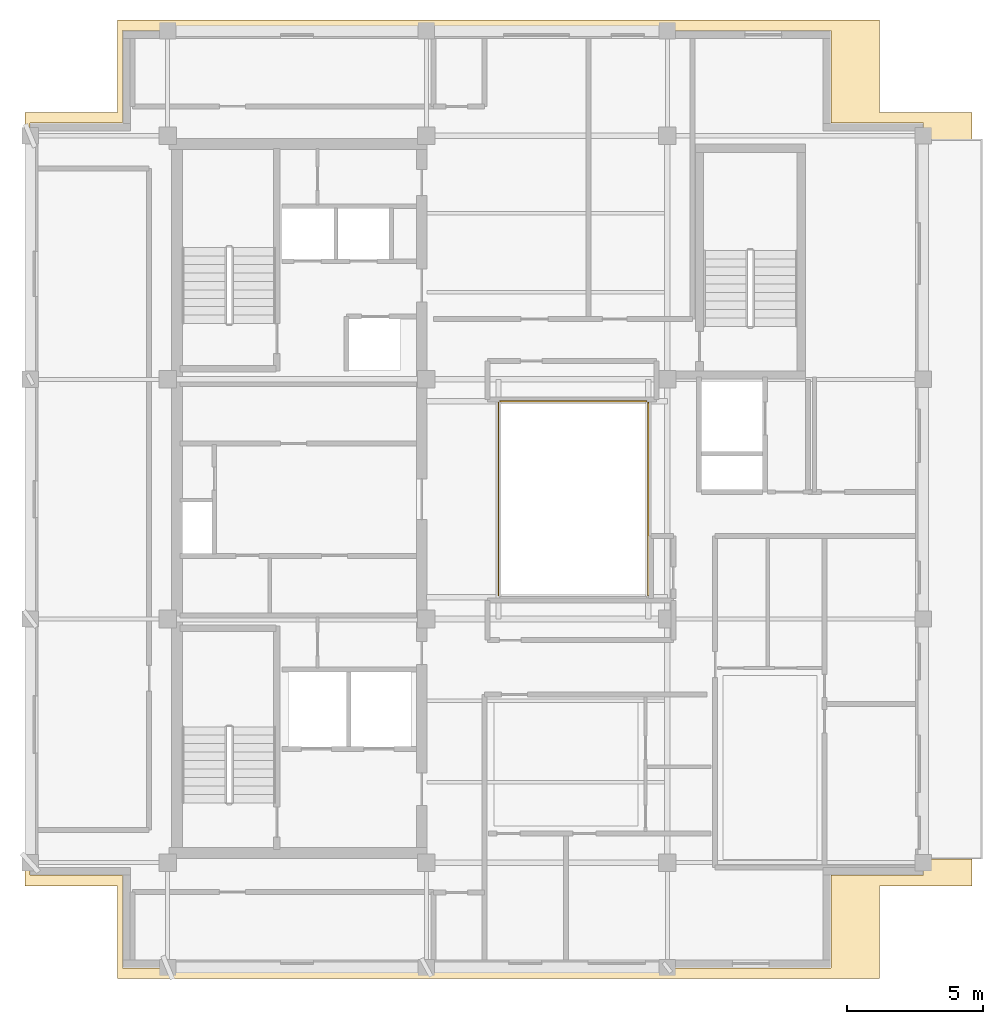
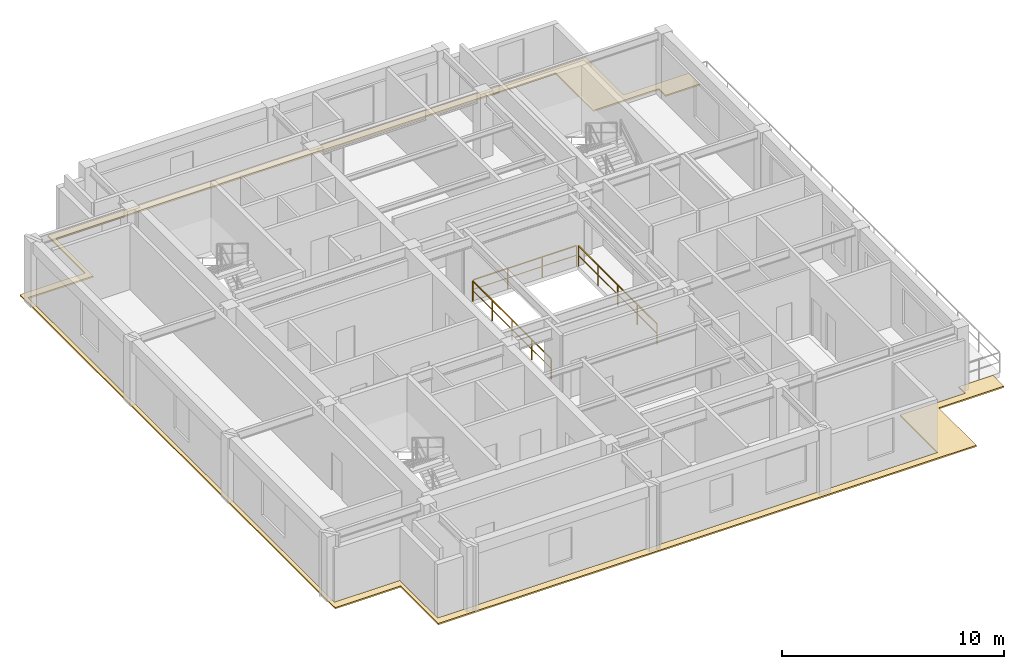
# One storey, part 8 of 9: 3 railings, 1 covering.
"""IFC4 building model written with IfcOpenShell, lengths in metres."""

import ifcopenshell
import ifcopenshell.guid

model = None  # the IFC model being written
_history = None  # IfcOwnerHistory: only IFC2X3 demands one
_inside = {}  # id of a spatial element -> (the spatial element, [elements in it])
_under = {}  # id of a project, library or spatial element -> (it, [spatial elements below it])
_declared = {}  # id of a project -> (the project, [libraries it declares])
_typed = {}  # id of a type object -> (the type object, [elements of that type])
_made_of = {}  # id of a material, layer set ... -> (it, [elements and type objects made of it])


def new_model(schema):
    """Start an empty IFC model of exactly this schema.

    Asked for "IFC4X3", IfcOpenShell would pick the latest addendum, in which some entities
    have other attributes; the version numbers below select the first issue.
    IFC2X3 requires an IfcOwnerHistory on every rooted entity: one is made here for all.
    """
    global model, _history
    if schema == "IFC4X3":
        model = ifcopenshell.file(schema_version=(4, 3, 0, 0))
    else:
        model = ifcopenshell.file(schema=schema)
    _inside.clear()
    _under.clear()
    _declared.clear()
    _typed.clear()
    _made_of.clear()
    _history = None
    if model.schema == "IFC2X3":
        org = make("IfcOrganization", Name="unknown")
        user = make(
            "IfcPersonAndOrganization",
            ThePerson=make("IfcPerson", FamilyName="unknown"),
            TheOrganization=org,
        )
        app = make(
            "IfcApplication",
            ApplicationDeveloper=org,
            Version="unknown",
            ApplicationFullName="unknown",
            ApplicationIdentifier="unknown",
        )
        _history = make(
            "IfcOwnerHistory",
            OwningUser=user,
            OwningApplication=app,
            ChangeAction="ADDED",
            CreationDate=0,
        )
    return model


def make(cls, **values):
    """One entity of the class cls with the attributes given. An attribute that is None is left unset."""
    return model.create_entity(
        cls, **{name: value for name, value in values.items() if value is not None}
    )


def rooted(cls, **values):
    """An entity with a GlobalId (a new one), such as an element, a storey or a relation."""
    return make(cls, GlobalId=ifcopenshell.guid.new(), OwnerHistory=_history, **values)


def si_unit(unit_type, name, prefix=None):
    """IfcSIUnit, for example si_unit("LENGTHUNIT", "METRE", prefix="MILLI")."""
    return make("IfcSIUnit", UnitType=unit_type, Prefix=prefix, Name=name)


def assignment(units):
    """IfcUnitAssignment: the units of a project."""
    return None if units is None else make("IfcUnitAssignment", Units=units)


def point(xyz):
    """IfcCartesianPoint."""
    return None if xyz is None else make("IfcCartesianPoint", Coordinates=xyz)


def direction(xyz):
    """IfcDirection."""
    return None if xyz is None else make("IfcDirection", DirectionRatios=xyz)


def frame(location, z_axis=None, x_axis=None):
    """IfcAxis2Placement3D, a coordinate frame: its origin and axes. An axis left out is left unset."""
    return make(
        "IfcAxis2Placement3D",
        Location=point(location),
        Axis=direction(z_axis),
        RefDirection=direction(x_axis),
    )


def frame_2d(location, x_axis=None):
    """IfcAxis2Placement2D, a coordinate frame in the plane: its origin and x axis."""
    return make(
        "IfcAxis2Placement2D", Location=point(location), RefDirection=direction(x_axis)
    )


def origin():
    """The frame at (0, 0, 0) with its axes left unset."""
    return frame((0.0, 0.0, 0.0))


def origin_2d():
    """The frame at (0, 0) in the plane with its x axis left unset."""
    return frame_2d((0.0, 0.0))


def place(relative_to, where):
    """IfcLocalPlacement: puts the frame where relative to a parent placement (None: the world)."""
    return make(
        "IfcLocalPlacement", PlacementRelTo=relative_to, RelativePlacement=where
    )


def context(
    kind, dimensions, precision=None, world=None, true_north=None, identifier=None
):
    """IfcGeometricRepresentationContext, for example the 3D "Model" context."""
    return make(
        "IfcGeometricRepresentationContext",
        ContextIdentifier=identifier,
        ContextType=kind,
        CoordinateSpaceDimension=dimensions,
        Precision=precision,
        WorldCoordinateSystem=world,
        TrueNorth=true_north,
    )


def subcontext(parent, identifier, kind, view, scale=None):
    """IfcGeometricRepresentationSubContext, for example "Body" below "Model"."""
    return make(
        "IfcGeometricRepresentationSubContext",
        ContextIdentifier=identifier,
        ContextType=kind,
        ParentContext=parent,
        TargetScale=scale,
        TargetView=view,
    )


def project(units=None, contexts=None):
    """IfcProject with its units and contexts."""
    return rooted(
        "IfcProject",
        Name="project",
        RepresentationContexts=contexts,
        UnitsInContext=assignment(units),
    )


def spatial(cls, under=None, at=None, **own):
    """A site, building, storey or space (cls), placed at a placement, below another one or the project."""
    s = rooted(cls, ObjectPlacement=at, **own)
    if under is not None:
        _under.setdefault(under.id(), (under, []))[1].append(s)
    return s


def polyline(points):
    """IfcPolyline through the points."""
    return make("IfcPolyline", Points=[point(p) for p in points])


def profile(cls, at=None, kind="AREA", **sizes):
    """A parametric profile (cls). Its sizes go by their IFC names, for example OverallWidth=200.0."""
    return make(cls, ProfileType=kind, Position=at, **sizes)


def rectangle(**sizes):
    """IfcRectangleProfileDef."""
    return profile("IfcRectangleProfileDef", **sizes)


def outline(outer, holes=None, kind="AREA"):
    """IfcArbitraryClosedProfileDef: a profile drawn as a closed curve; with holes, ...WithVoids."""
    if holes is None:
        return make("IfcArbitraryClosedProfileDef", ProfileType=kind, OuterCurve=outer)
    return make(
        "IfcArbitraryProfileDefWithVoids",
        ProfileType=kind,
        OuterCurve=outer,
        InnerCurves=holes,
    )


def extrude(swept, where, along, depth):
    """IfcExtrudedAreaSolid: the profile swept, set in the frame where, extruded along a direction by depth."""
    return make(
        "IfcExtrudedAreaSolid",
        SweptArea=swept,
        Position=where,
        ExtrudedDirection=direction(along),
        Depth=depth,
    )


def shape(context_of_items, identifier, shape_type, items):
    """IfcShapeRepresentation: the items that make up one representation, for example the "Body"."""
    return make(
        "IfcShapeRepresentation",
        ContextOfItems=context_of_items,
        RepresentationIdentifier=identifier,
        RepresentationType=shape_type,
        Items=items,
    )


def material(Name=None, Category=None):
    """IfcMaterial."""
    return make("IfcMaterial", Name=Name, Category=Category)


def layer(
    of_material, thickness, ventilated=None, Name=None, Category=None, Priority=None
):
    """IfcMaterialLayer: one layer of a wall or slab, of a material (None: an air gap)."""
    return make(
        "IfcMaterialLayer",
        Material=of_material,
        LayerThickness=thickness,
        IsVentilated=ventilated,
        Name=Name,
        Category=Category,
        Priority=Priority,
    )


def layer_set(layers, Name=None):
    """IfcMaterialLayerSet."""
    return make("IfcMaterialLayerSet", MaterialLayers=layers, LayerSetName=Name)


def made_of(thing, what):
    """Note that an element or type object is made of a material, layer set ...; save() writes the relation."""
    if what is not None:
        _made_of.setdefault(what.id(), (what, []))[1].append(thing)
    return thing


def type_object(cls, material=None, **own):
    """A type object (cls), such as IfcWallType, which elements share."""
    return made_of(rooted(cls, **own), material)


def element(
    cls,
    number,
    at=None,
    inside=None,
    cuts=None,
    type_object=None,
    material=None,
    context=None,
    identifier="Body",
    shape_type=None,
    held_by="IfcProductDefinitionShape",
    body=None,
    shapes=None,
    **own,
):
    """One element of the class cls, such as IfcWall. Its Tag is "e" and its number.

    at: its placement. inside: the storey or other place that contains it. cuts: it is an
    opening in that element (IfcRelVoidsElement). A single representation is given by context,
    identifier, shape_type and body (its items); several are given by shapes. held_by: the class
    of the entity that holds the representations. save() writes the other relations.
    """
    e = rooted(cls, Tag="e%d" % number, ObjectPlacement=at, **own)
    if body is not None:
        shapes = [shape(context, identifier, shape_type, body)]
    if shapes is not None:
        e.Representation = make(held_by, Representations=shapes)
    if inside is not None:
        _inside.setdefault(inside.id(), (inside, []))[1].append(e)
    if cuts is not None:
        rooted(
            "IfcRelVoidsElement", RelatingBuildingElement=cuts, RelatedOpeningElement=e
        )
    if type_object is not None:
        _typed.setdefault(type_object.id(), (type_object, []))[1].append(e)
    return made_of(e, material)


def aggregate(whole, parts):
    """IfcRelAggregates: a whole, such as a stair, and the parts it consists of."""
    return rooted("IfcRelAggregates", RelatingObject=whole, RelatedObjects=parts)


def save(model, path):
    """Write the relations noted so far, then the file.

    IfcRelAggregates (storeys below a building ...), IfcRelContainedInSpatialStructure (elements
    in a storey), IfcRelDefinesByType, IfcRelAssociatesMaterial and IfcRelDeclares: one each for
    every whole, place, type object, material and project.
    """
    for whole, parts in _under.values():
        aggregate(whole, parts)
    for where, things in _inside.values():
        rooted(
            "IfcRelContainedInSpatialStructure",
            RelatedElements=things,
            RelatingStructure=where,
        )
    for kind, things in _typed.values():
        rooted("IfcRelDefinesByType", RelatedObjects=things, RelatingType=kind)
    for what, things in _made_of.values():
        rooted("IfcRelAssociatesMaterial", RelatedObjects=things, RelatingMaterial=what)
    for by, libraries in _declared.values():
        rooted("IfcRelDeclares", RelatingContext=by, RelatedDefinitions=libraries)
    model.write(path)


model = new_model("IFC4")

# Units and contexts
model_context = context("Model", 3, precision=1e-05, world=origin(), true_north=direction((0.0, 1.0)))
body_context = subcontext(model_context, "Body", "Model", "MODEL_VIEW")
ifc_project = project(units=[si_unit("LENGTHUNIT", "METRE"), si_unit("AREAUNIT", "SQUARE_METRE"), si_unit("VOLUMEUNIT", "CUBIC_METRE"), si_unit("PLANEANGLEUNIT", "RADIAN"), si_unit("MASSUNIT", "GRAM", prefix="KILO")], contexts=[model_context])

# Site, building, storey
site_placement = place(None, origin())
site = spatial("IfcSite", under=ifc_project, at=site_placement, CompositionType="ELEMENT")
building_placement = place(site_placement, origin())
building = spatial("IfcBuilding", under=site, at=building_placement, Name="Kundavana Baori Tower", CompositionType="ELEMENT")
storey_placement = place(building_placement, frame((0.0, 0.0, 335.300048828125)))
storey = spatial("IfcBuildingStorey", under=building, at=storey_placement, Name="L83", CompositionType="ELEMENT", Elevation=335.300048828125)

# Covering
ifc_material_1 = material(Name="Elastomeric APP Waterproofing Roofing Membrane")
ifc_layer = layer(ifc_material_1, 0.044921875, Name="COV-ROOF-MEMB")
ifc_layer_set = layer_set([ifc_layer], Name="Elastomeric APP Waterproofing Roofing Membrane")
covering_type = type_object("IfcCoveringType", Name="COV-ROOF-MEMB", PredefinedType="ROOFING", material=ifc_layer_set)
covering_placement = place(storey_placement, frame((0.0, 0.0, -0.080078125)))
element("IfcCovering", 1, at=covering_placement, inside=storey, type_object=covering_type, Name="L83 Stepped Setback Stone Coping Flashing 1", PredefinedType="ROOFING", context=body_context, shape_type="SweptSolid", body=[
    extrude(outline(polyline([(45.0, 14.39990234375), (41.60009765625, 14.39990234375), (41.60009765625, 11.0), (13.60009765625, 11.0), (13.60009765625, 14.39990234375), (10.199951171875, 14.39990234375), (10.199951171875, 42.800048828125), (13.60009765625, 42.800048828125), (13.60009765625, 46.199951171875), (41.60009765625, 46.199951171875), (41.60009765625, 42.800048828125), (45.0, 42.800048828125), (45.0, 41.81005859375), (43.2099609375, 41.81005859375), (43.2099609375, 42.409912109375), (39.81005859375, 42.409912109375), (39.81005859375, 45.81005859375), (13.7900390625, 45.81005859375), (13.7900390625, 42.409912109375), (10.389892578125, 42.409912109375), (10.389892578125, 14.7900390625), (13.7900390625, 14.7900390625), (13.7900390625, 11.389892578125), (39.81005859375, 11.389892578125), (39.81005859375, 14.7900390625), (43.2099609375, 14.7900390625), (43.2099609375, 15.389892578125), (45.0, 15.389892578125), (45.0, 14.39990234375)])), origin(), (0.0, 0.0, 1.0), 0.080078125),
])

# Railings
ifc_material_2 = material(Name="Architectural Patinated Bronze Metalwork")
railing_type = type_object("IfcRailingType", Name="RL-GRD-1150", PredefinedType="GUARDRAIL", material=ifc_material_2)
railing_1_placement = place(storey_placement, frame((33.10009765625, 25.06005859375, 0.0)))
element("IfcRailing", 2, at=railing_1_placement, inside=storey, type_object=railing_type, Name="L83 Atrium Void Perimeter Guardrail E", PredefinedType="GUARDRAIL", context=body_context, shape_type="SweptSolid", body=[
    extrude(rectangle(XDim=0.048095703125, YDim=0.048095703125, at=origin_2d()), frame((0.0, 0.0, 1.1259765625), z_axis=(0.0, 1.0, 0.0), x_axis=(-1.0, 0.0, 0.0)), (0.0, 0.0, 1.0), 7.079833984375),
    extrude(rectangle(XDim=0.03125, YDim=0.03125, at=origin_2d()), frame((0.0, 0.0, 0.597900390625), z_axis=(0.0, 1.0, 0.0), x_axis=(-1.0, 0.0, 0.0)), (0.0, 0.0, 1.0), 7.079833984375),
    extrude(rectangle(XDim=0.0419921875, YDim=0.0419921875, at=origin_2d()), origin(), (0.0, 0.0, 1.0), 1.101806640625),
    extrude(rectangle(XDim=0.0419921875, YDim=0.0419921875, at=origin_2d()), frame((0.0, 1.77001953125, 0.0)), (0.0, 0.0, 1.0), 1.101806640625),
    extrude(rectangle(XDim=0.0419921875, YDim=0.0419921875, at=origin_2d()), frame((0.0, 3.5400390625, 0.0)), (0.0, 0.0, 1.0), 1.101806640625),
    extrude(rectangle(XDim=0.0419921875, YDim=0.0419921875, at=origin_2d()), frame((0.0, 5.309814453125, 0.0)), (0.0, 0.0, 1.0), 1.101806640625),
    extrude(rectangle(XDim=0.0419921875, YDim=0.0419921875, at=origin_2d()), frame((0.0, 7.079833984375, 0.0)), (0.0, 0.0, 1.0), 1.101806640625),
])
railing_2_placement = place(storey_placement, frame((33.0400390625, 32.199951171875, 0.0)))
element("IfcRailing", 3, at=railing_2_placement, inside=storey, type_object=railing_type, Name="L83 Atrium Void Perimeter Guardrail N", PredefinedType="GUARDRAIL", context=body_context, shape_type="SweptSolid", body=[
    extrude(rectangle(XDim=0.048095703125, YDim=0.048095703125, at=origin_2d()), frame((0.0, 0.0, 1.1259765625), z_axis=(-1.0, 0.0, 0.0), x_axis=(0.0, -1.0, 0.0)), (0.0, 0.0, 1.0), 5.380126953125),
    extrude(rectangle(XDim=0.03125, YDim=0.03125, at=origin_2d()), frame((0.0, 0.0, 0.597900390625), z_axis=(-1.0, 0.0, 0.0), x_axis=(0.0, -1.0, 0.0)), (0.0, 0.0, 1.0), 5.380126953125),
    extrude(rectangle(XDim=0.0419921875, YDim=0.0419921875, at=origin_2d()), origin(), (0.0, 0.0, 1.0), 1.101806640625),
    extrude(rectangle(XDim=0.0419921875, YDim=0.0419921875, at=origin_2d()), frame((-1.79345703125, 0.0, 0.0)), (0.0, 0.0, 1.0), 1.101806640625),
    extrude(rectangle(XDim=0.0419921875, YDim=0.0419921875, at=origin_2d()), frame((-3.586669921875, 0.0, 0.0)), (0.0, 0.0, 1.0), 1.101806640625),
    extrude(rectangle(XDim=0.0419921875, YDim=0.0419921875, at=origin_2d()), frame((-5.380126953125, 0.0, 0.0)), (0.0, 0.0, 1.0), 1.101806640625),
])
railing_3_placement = place(storey_placement, frame((27.60009765625, 32.139892578125, 0.0)))
element("IfcRailing", 4, at=railing_3_placement, inside=storey, type_object=railing_type, Name="L83 Atrium Void Perimeter Guardrail W", PredefinedType="GUARDRAIL", context=body_context, shape_type="SweptSolid", body=[
    extrude(rectangle(XDim=0.048095703125, YDim=0.048095703125, at=origin_2d()), frame((0.0, 0.0, 1.1259765625), z_axis=(0.0, -1.0, 0.0), x_axis=(1.0, 0.0, 0.0)), (0.0, 0.0, 1.0), 7.079833984375),
    extrude(rectangle(XDim=0.03125, YDim=0.03125, at=origin_2d()), frame((0.0, 0.0, 0.597900390625), z_axis=(0.0, -1.0, 0.0), x_axis=(1.0, 0.0, 0.0)), (0.0, 0.0, 1.0), 7.079833984375),
    extrude(rectangle(XDim=0.0419921875, YDim=0.0419921875, at=origin_2d()), origin(), (0.0, 0.0, 1.0), 1.101806640625),
    extrude(rectangle(XDim=0.0419921875, YDim=0.0419921875, at=origin_2d()), frame((0.0, -1.77001953125, 0.0)), (0.0, 0.0, 1.0), 1.101806640625),
    extrude(rectangle(XDim=0.0419921875, YDim=0.0419921875, at=origin_2d()), frame((0.0, -3.5400390625, 0.0)), (0.0, 0.0, 1.0), 1.101806640625),
    extrude(rectangle(XDim=0.0419921875, YDim=0.0419921875, at=origin_2d()), frame((0.0, -5.309814453125, 0.0)), (0.0, 0.0, 1.0), 1.101806640625),
    extrude(rectangle(XDim=0.0419921875, YDim=0.0419921875, at=origin_2d()), frame((0.0, -7.079833984375, 0.0)), (0.0, 0.0, 1.0), 1.101806640625),
])

save(model, "model.ifc")
